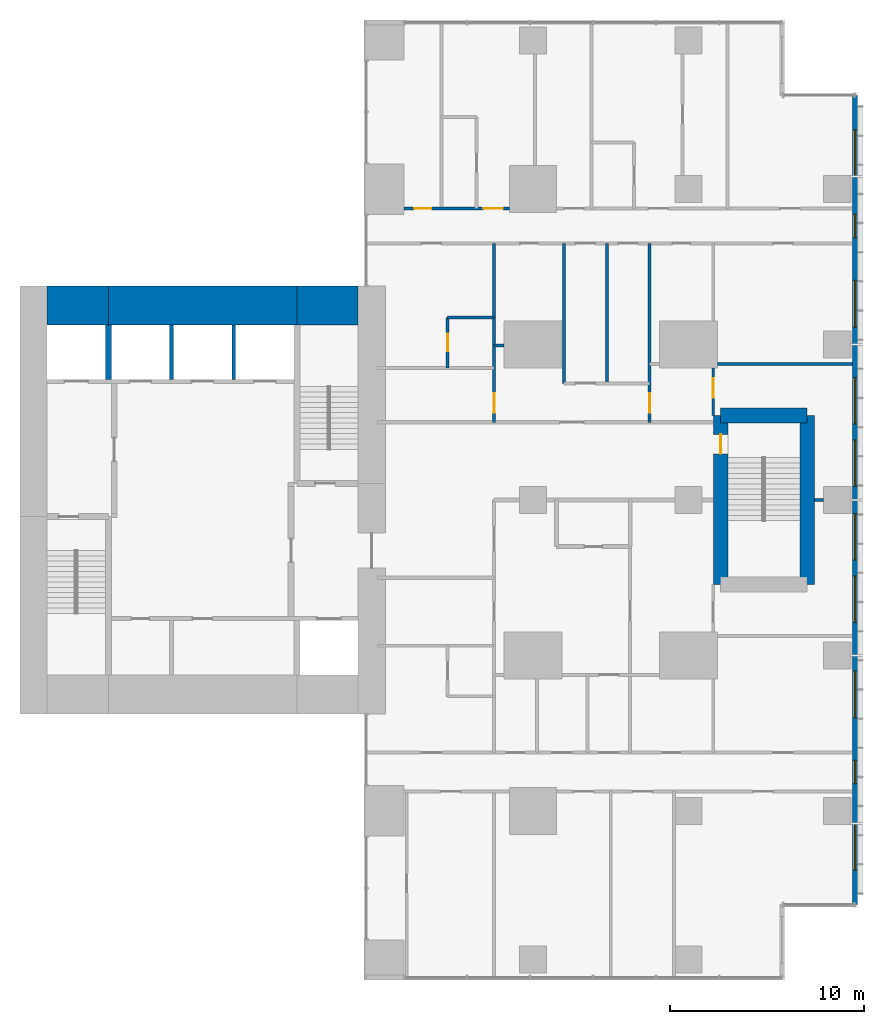
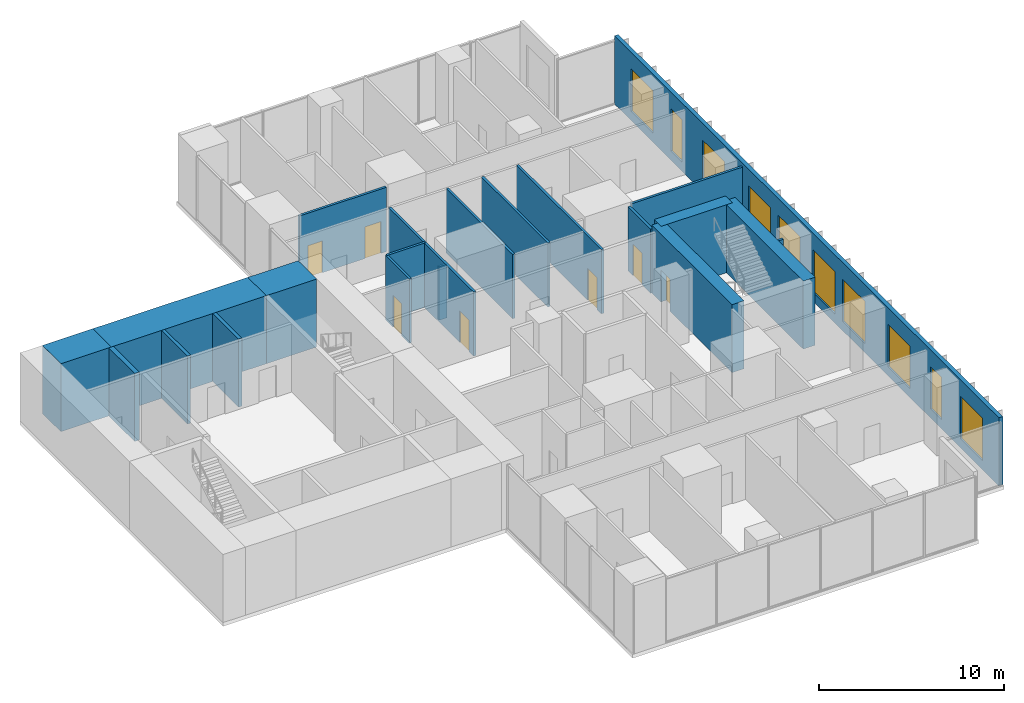
# One storey, part 9 of 12: 21 walls, 10 windows, 7 doors, 17 openings.
"""IFC4 building model written with IfcOpenShell, lengths in metres."""

from ifc_helpers import new_model, si_unit, direction, frame, frame_2d, origin, place, context, subcontext, project, spatial, rectangle, extrude, material, layer, layer_set, type_object, element, fill, save


model = new_model("IFC4")

# Units and contexts
model_context = context("Model", 3, precision=1e-05, world=origin(), true_north=direction((0.0, 1.0)))
body_context = subcontext(model_context, "Body", "Model", "MODEL_VIEW")
ifc_project = project(units=[si_unit("LENGTHUNIT", "METRE"), si_unit("AREAUNIT", "SQUARE_METRE"), si_unit("VOLUMEUNIT", "CUBIC_METRE"), si_unit("PLANEANGLEUNIT", "RADIAN"), si_unit("MASSUNIT", "GRAM", prefix="KILO")], contexts=[model_context])

# Site, building, storey
site_placement = place(None, origin())
site = spatial("IfcSite", under=ifc_project, at=site_placement, CompositionType="ELEMENT")
building_placement = place(site_placement, origin())
building = spatial("IfcBuilding", under=site, at=building_placement, Name="Cleftline Residences", CompositionType="ELEMENT")
storey_placement = place(building_placement, frame((0.0, 0.0, 282.60009765625)))
storey = spatial("IfcBuildingStorey", under=building, at=storey_placement, Name="L74", CompositionType="ELEMENT", Elevation=282.60009765625)

# Walls
ifc_material_1 = material(Name="Concrete B70", Category="concrete")
ifc_layer_1 = layer(ifc_material_1, 2.0)
ifc_layer_set_1 = layer_set([ifc_layer_1], Name="CORE WALL 2000")
wall_type_1 = type_object("IfcWallType", Name="CORE WALL 2000", PredefinedType="SHEAR", material=ifc_layer_set_1)
wall_1_placement = place(storey_placement, frame((25.0, 34.0, 0.0), z_axis=(0.0, 0.0, 1.0), x_axis=(1.0, 0.0, 0.0)))
element("IfcWall", 1, at=wall_1_placement, inside=storey, type_object=wall_type_1, Name="Core wall N1", PredefinedType="SHEAR", context=body_context, shape_type="SweptSolid", body=[
    extrude(rectangle(XDim=3.14990234375, YDim=2.0, at=frame_2d((1.574951171875, 0.0))), origin(), (0.0, 0.0, 1.0), 4.5),
])
wall_2_placement = place(storey_placement, frame((28.14990234375, 34.0, 0.0), z_axis=(0.0, 0.0, 1.0), x_axis=(1.0, 0.0, 0.0)))
element("IfcWall", 2, at=wall_2_placement, inside=storey, type_object=wall_type_1, Name="Core wall N2", PredefinedType="SHEAR", context=body_context, shape_type="SweptSolid", body=[
    extrude(rectangle(XDim=9.7001953125, YDim=2.0, at=frame_2d((4.85009765625, 0.0))), origin(), (0.0, 0.0, 1.0), 4.5),
])
wall_3_placement = place(storey_placement, frame((37.85009765625, 34.0, 0.0), z_axis=(0.0, 0.0, 1.0), x_axis=(1.0, 0.0, 0.0)))
element("IfcWall", 3, at=wall_3_placement, inside=storey, type_object=wall_type_1, Name="Core wall N3", PredefinedType="SHEAR", context=body_context, shape_type="SweptSolid", body=[
    extrude(rectangle(XDim=3.14990234375, YDim=2.0, at=frame_2d((1.574951171875, 0.0))), origin(), (0.0, 0.0, 1.0), 4.5),
])
ifc_material_2 = material(Name="Concrete B70", Category="concrete")
ifc_layer_2 = layer(ifc_material_2, 0.300048828125)
ifc_layer_set_2 = layer_set([ifc_layer_2], Name="CORE WALL 300")
wall_type_2 = type_object("IfcWallType", Name="CORE WALL 300", PredefinedType="SHEAR", material=ifc_layer_set_2)
wall_4_placement = place(storey_placement, frame((28.14990234375, 30.199951171875, 0.0), z_axis=(0.0, 0.0, 1.0), x_axis=(0.0, 1.0, 0.0)))
element("IfcWall", 4, at=wall_4_placement, inside=storey, type_object=wall_type_2, Name="Lift shaft wall", PredefinedType="SHEAR", context=body_context, shape_type="SweptSolid", body=[
    extrude(rectangle(XDim=2.800048828125, YDim=0.300048828125, at=frame_2d((1.39990234375, 0.0))), origin(), (0.0, 0.0, 1.0), 4.5),
])

# Wall, openings, windows
ifc_material_3 = material(Name="Rendered reinforced concrete blockwork", Category="masonry")
ifc_layer_3 = layer(ifc_material_3, 0.25)
ifc_layer_set_3 = layer_set([ifc_layer_3], Name="EXTERNAL WALL 250")
wall_type_3 = type_object("IfcWallType", Name="EXTERNAL WALL 250", PredefinedType="SOLIDWALL", material=ifc_layer_set_3)
wall_5_placement = place(storey_placement, frame((66.574951171875, 3.175048828125, 0.0), z_axis=(0.0, 0.0, 1.0), x_axis=(0.0, 1.0, 0.0)))
wall_5 = element("IfcWall", 5, at=wall_5_placement, inside=storey, type_object=wall_type_3, Name="External wall", PredefinedType="SOLIDWALL", context=body_context, shape_type="SweptSolid", body=[
    extrude(rectangle(XDim=41.64990234375, YDim=0.25, at=frame_2d((20.824951171875, 0.0))), origin(), (0.0, 0.0, 1.0), 4.5),
])
opening_1_placement = place(wall_5_placement, frame((1.77490234375, 0.0, 0.60009765625)))
opening_1 = element("IfcOpeningElement", 6, at=opening_1_placement, cuts=wall_5, Name="Opening W15", PredefinedType="OPENING", context=body_context, shape_type="SweptSolid", body=[
    extrude(rectangle(XDim=2.39990234375, YDim=2.800048828125, at=frame_2d((1.199951171875, 1.39990234375))), frame((0.0, 0.135009765625, 0.0), z_axis=(0.0, -1.0, 0.0), x_axis=(1.0, 0.0, 0.0)), (0.0, 0.0, 1.0), 0.27001953125),
])
opening_2_placement = place(wall_5_placement, frame((6.22509765625, 0.0, 0.60009765625)))
opening_2 = element("IfcOpeningElement", 7, at=opening_2_placement, cuts=wall_5, Name="Opening W16", PredefinedType="OPENING", context=body_context, shape_type="SweptSolid", body=[
    extrude(rectangle(XDim=1.199951171875, YDim=2.800048828125, at=frame_2d((0.60009765625, 1.39990234375))), frame((0.0, 0.135009765625, 0.0), z_axis=(0.0, -1.0, 0.0), x_axis=(1.0, 0.0, 0.0)), (0.0, 0.0, 1.0), 0.27001953125),
])
opening_3_placement = place(wall_5_placement, frame((9.625, 0.0, 0.60009765625)))
opening_3 = element("IfcOpeningElement", 8, at=opening_3_placement, cuts=wall_5, Name="Opening W15", PredefinedType="OPENING", context=body_context, shape_type="SweptSolid", body=[
    extrude(rectangle(XDim=2.39990234375, YDim=2.800048828125, at=frame_2d((1.199951171875, 1.39990234375))), frame((0.0, 0.135009765625, 0.0), z_axis=(0.0, -1.0, 0.0), x_axis=(1.0, 0.0, 0.0)), (0.0, 0.0, 1.0), 0.27001953125),
])
opening_4_placement = place(wall_5_placement, frame((14.52490234375, 0.0, 0.60009765625)))
opening_4 = element("IfcOpeningElement", 9, at=opening_4_placement, cuts=wall_5, Name="Opening W15", PredefinedType="OPENING", context=body_context, shape_type="SweptSolid", body=[
    extrude(rectangle(XDim=2.39990234375, YDim=2.800048828125, at=frame_2d((1.199951171875, 1.39990234375))), frame((0.0, 0.135009765625, 0.0), z_axis=(0.0, -1.0, 0.0), x_axis=(1.0, 0.0, 0.0)), (0.0, 0.0, 1.0), 0.27001953125),
])
opening_5_placement = place(wall_5_placement, frame((17.72509765625, 0.0, 0.60009765625)))
opening_5 = element("IfcOpeningElement", 10, at=opening_5_placement, cuts=wall_5, Name="Opening W15", PredefinedType="OPENING", context=body_context, shape_type="SweptSolid", body=[
    extrude(rectangle(XDim=2.39990234375, YDim=2.800048828125, at=frame_2d((1.199951171875, 1.39990234375))), frame((0.0, 0.135009765625, 0.0), z_axis=(0.0, -1.0, 0.0), x_axis=(1.0, 0.0, 0.0)), (0.0, 0.0, 1.0), 0.27001953125),
])
opening_6_placement = place(wall_5_placement, frame((21.52490234375, 0.0, 0.60009765625)))
opening_6 = element("IfcOpeningElement", 11, at=opening_6_placement, cuts=wall_5, Name="Opening W15", PredefinedType="OPENING", context=body_context, shape_type="SweptSolid", body=[
    extrude(rectangle(XDim=2.39990234375, YDim=2.800048828125, at=frame_2d((1.199951171875, 1.39990234375))), frame((0.0, 0.135009765625, 0.0), z_axis=(0.0, -1.0, 0.0), x_axis=(1.0, 0.0, 0.0)), (0.0, 0.0, 1.0), 0.27001953125),
])
opening_7_placement = place(wall_5_placement, frame((24.72509765625, 0.0, 0.60009765625)))
opening_7 = element("IfcOpeningElement", 12, at=opening_7_placement, cuts=wall_5, Name="Opening W15", PredefinedType="OPENING", context=body_context, shape_type="SweptSolid", body=[
    extrude(rectangle(XDim=2.39990234375, YDim=2.800048828125, at=frame_2d((1.199951171875, 1.39990234375))), frame((0.0, 0.135009765625, 0.0), z_axis=(0.0, -1.0, 0.0), x_axis=(1.0, 0.0, 0.0)), (0.0, 0.0, 1.0), 0.27001953125),
])
opening_8_placement = place(wall_5_placement, frame((29.72509765625, 0.0, 0.60009765625)))
opening_8 = element("IfcOpeningElement", 13, at=opening_8_placement, cuts=wall_5, Name="Opening W15", PredefinedType="OPENING", context=body_context, shape_type="SweptSolid", body=[
    extrude(rectangle(XDim=2.39990234375, YDim=2.800048828125, at=frame_2d((1.199951171875, 1.39990234375))), frame((0.0, 0.135009765625, 0.0), z_axis=(0.0, -1.0, 0.0), x_axis=(1.0, 0.0, 0.0)), (0.0, 0.0, 1.0), 0.27001953125),
])
opening_9_placement = place(wall_5_placement, frame((34.324951171875, 0.0, 0.60009765625)))
opening_9 = element("IfcOpeningElement", 14, at=opening_9_placement, cuts=wall_5, Name="Opening W16", PredefinedType="OPENING", context=body_context, shape_type="SweptSolid", body=[
    extrude(rectangle(XDim=1.199951171875, YDim=2.800048828125, at=frame_2d((0.60009765625, 1.39990234375))), frame((0.0, 0.135009765625, 0.0), z_axis=(0.0, -1.0, 0.0), x_axis=(1.0, 0.0, 0.0)), (0.0, 0.0, 1.0), 0.27001953125),
])
opening_10_placement = place(wall_5_placement, frame((37.47509765625, 0.0, 0.60009765625)))
opening_10 = element("IfcOpeningElement", 15, at=opening_10_placement, cuts=wall_5, Name="Opening W15", PredefinedType="OPENING", context=body_context, shape_type="SweptSolid", body=[
    extrude(rectangle(XDim=2.39990234375, YDim=2.800048828125, at=frame_2d((1.199951171875, 1.39990234375))), frame((0.0, 0.135009765625, 0.0), z_axis=(0.0, -1.0, 0.0), x_axis=(1.0, 0.0, 0.0)), (0.0, 0.0, 1.0), 0.27001953125),
])
ifc_material_4 = material(Name="Aluminium frame, clear double glazing", Category="aluminium")
window_type_1 = type_object("IfcWindowType", Name="WINDOW 1200X2800", PartitioningType="DOUBLE_PANEL_VERTICAL", PredefinedType="WINDOW", material=ifc_material_4)
window_1_placement = place(opening_2_placement, origin())
window_1 = element("IfcWindow", 16, at=window_1_placement, inside=storey, type_object=window_type_1, Name="Window", OverallHeight=2.800048828125, OverallWidth=1.199951171875, PartitioningType="SINGLE_PANEL", PredefinedType="WINDOW", context=body_context, shape_type="SweptSolid", body=[
    extrude(rectangle(XDim=1.199951171875, YDim=2.800048828125, at=frame_2d((0.60009765625, 1.39990234375))), frame((0.0, 0.030029296875, 0.0), z_axis=(0.0, -1.0, 0.0), x_axis=(1.0, 0.0, 0.0)), (0.0, 0.0, 1.0), 0.06005859375),
])
fill(opening_2, window_1)
window_2_placement = place(opening_9_placement, origin())
window_2 = element("IfcWindow", 17, at=window_2_placement, inside=storey, type_object=window_type_1, Name="Window", OverallHeight=2.800048828125, OverallWidth=1.199951171875, PartitioningType="SINGLE_PANEL", PredefinedType="WINDOW", context=body_context, shape_type="SweptSolid", body=[
    extrude(rectangle(XDim=1.199951171875, YDim=2.800048828125, at=frame_2d((0.60009765625, 1.39990234375))), frame((0.0, 0.030029296875, 0.0), z_axis=(0.0, -1.0, 0.0), x_axis=(1.0, 0.0, 0.0)), (0.0, 0.0, 1.0), 0.06005859375),
])
fill(opening_9, window_2)
ifc_material_5 = material(Name="Aluminium frame, clear double glazing", Category="aluminium")
window_type_2 = type_object("IfcWindowType", Name="WINDOW 2400X2800", PartitioningType="DOUBLE_PANEL_VERTICAL", PredefinedType="WINDOW", material=ifc_material_5)
window_3_placement = place(opening_1_placement, origin())
window_3 = element("IfcWindow", 18, at=window_3_placement, inside=storey, type_object=window_type_2, Name="Window", OverallHeight=2.800048828125, OverallWidth=2.39990234375, PartitioningType="SINGLE_PANEL", PredefinedType="WINDOW", context=body_context, shape_type="SweptSolid", body=[
    extrude(rectangle(XDim=2.39990234375, YDim=2.800048828125, at=frame_2d((1.199951171875, 1.39990234375))), frame((0.0, 0.030029296875, 0.0), z_axis=(0.0, -1.0, 0.0), x_axis=(1.0, 0.0, 0.0)), (0.0, 0.0, 1.0), 0.06005859375),
])
fill(opening_1, window_3)
window_4_placement = place(opening_3_placement, origin())
window_4 = element("IfcWindow", 19, at=window_4_placement, inside=storey, type_object=window_type_2, Name="Window", OverallHeight=2.800048828125, OverallWidth=2.39990234375, PartitioningType="SINGLE_PANEL", PredefinedType="WINDOW", context=body_context, shape_type="SweptSolid", body=[
    extrude(rectangle(XDim=2.39990234375, YDim=2.800048828125, at=frame_2d((1.199951171875, 1.39990234375))), frame((0.0, 0.030029296875, 0.0), z_axis=(0.0, -1.0, 0.0), x_axis=(1.0, 0.0, 0.0)), (0.0, 0.0, 1.0), 0.06005859375),
])
fill(opening_3, window_4)
window_5_placement = place(opening_4_placement, origin())
window_5 = element("IfcWindow", 20, at=window_5_placement, inside=storey, type_object=window_type_2, Name="Window", OverallHeight=2.800048828125, OverallWidth=2.39990234375, PartitioningType="SINGLE_PANEL", PredefinedType="WINDOW", context=body_context, shape_type="SweptSolid", body=[
    extrude(rectangle(XDim=2.39990234375, YDim=2.800048828125, at=frame_2d((1.199951171875, 1.39990234375))), frame((0.0, 0.030029296875, 0.0), z_axis=(0.0, -1.0, 0.0), x_axis=(1.0, 0.0, 0.0)), (0.0, 0.0, 1.0), 0.06005859375),
])
fill(opening_4, window_5)
window_6_placement = place(opening_5_placement, origin())
window_6 = element("IfcWindow", 21, at=window_6_placement, inside=storey, type_object=window_type_2, Name="Window", OverallHeight=2.800048828125, OverallWidth=2.39990234375, PartitioningType="SINGLE_PANEL", PredefinedType="WINDOW", context=body_context, shape_type="SweptSolid", body=[
    extrude(rectangle(XDim=2.39990234375, YDim=2.800048828125, at=frame_2d((1.199951171875, 1.39990234375))), frame((0.0, 0.030029296875, 0.0), z_axis=(0.0, -1.0, 0.0), x_axis=(1.0, 0.0, 0.0)), (0.0, 0.0, 1.0), 0.06005859375),
])
fill(opening_5, window_6)
window_7_placement = place(opening_6_placement, origin())
window_7 = element("IfcWindow", 22, at=window_7_placement, inside=storey, type_object=window_type_2, Name="Window", OverallHeight=2.800048828125, OverallWidth=2.39990234375, PartitioningType="SINGLE_PANEL", PredefinedType="WINDOW", context=body_context, shape_type="SweptSolid", body=[
    extrude(rectangle(XDim=2.39990234375, YDim=2.800048828125, at=frame_2d((1.199951171875, 1.39990234375))), frame((0.0, 0.030029296875, 0.0), z_axis=(0.0, -1.0, 0.0), x_axis=(1.0, 0.0, 0.0)), (0.0, 0.0, 1.0), 0.06005859375),
])
fill(opening_6, window_7)
window_8_placement = place(opening_7_placement, origin())
window_8 = element("IfcWindow", 23, at=window_8_placement, inside=storey, type_object=window_type_2, Name="Window", OverallHeight=2.800048828125, OverallWidth=2.39990234375, PartitioningType="SINGLE_PANEL", PredefinedType="WINDOW", context=body_context, shape_type="SweptSolid", body=[
    extrude(rectangle(XDim=2.39990234375, YDim=2.800048828125, at=frame_2d((1.199951171875, 1.39990234375))), frame((0.0, 0.030029296875, 0.0), z_axis=(0.0, -1.0, 0.0), x_axis=(1.0, 0.0, 0.0)), (0.0, 0.0, 1.0), 0.06005859375),
])
fill(opening_7, window_8)
window_9_placement = place(opening_8_placement, origin())
window_9 = element("IfcWindow", 24, at=window_9_placement, inside=storey, type_object=window_type_2, Name="Window", OverallHeight=2.800048828125, OverallWidth=2.39990234375, PartitioningType="SINGLE_PANEL", PredefinedType="WINDOW", context=body_context, shape_type="SweptSolid", body=[
    extrude(rectangle(XDim=2.39990234375, YDim=2.800048828125, at=frame_2d((1.199951171875, 1.39990234375))), frame((0.0, 0.030029296875, 0.0), z_axis=(0.0, -1.0, 0.0), x_axis=(1.0, 0.0, 0.0)), (0.0, 0.0, 1.0), 0.06005859375),
])
fill(opening_8, window_9)
window_10_placement = place(opening_10_placement, origin())
window_10 = element("IfcWindow", 25, at=window_10_placement, inside=storey, type_object=window_type_2, Name="Window", OverallHeight=2.800048828125, OverallWidth=2.39990234375, PartitioningType="SINGLE_PANEL", PredefinedType="WINDOW", context=body_context, shape_type="SweptSolid", body=[
    extrude(rectangle(XDim=2.39990234375, YDim=2.800048828125, at=frame_2d((1.199951171875, 1.39990234375))), frame((0.0, 0.030029296875, 0.0), z_axis=(0.0, -1.0, 0.0), x_axis=(1.0, 0.0, 0.0)), (0.0, 0.0, 1.0), 0.06005859375),
])
fill(opening_10, window_10)

# Walls
ifc_material_6 = material(Name="Gypsum board on steel studs", Category="steel")
ifc_layer_4 = layer(ifc_material_6, 0.14990234375)
ifc_layer_set_4 = layer_set([ifc_layer_4], Name="PARTITION 150")
wall_type_4 = type_object("IfcWallType", Name="PARTITION 150", PredefinedType="PARTITIONING", material=ifc_layer_set_4)
wall_6_placement = place(storey_placement, frame((64.47509765625, 24.0, 0.0), z_axis=(0.0, 0.0, 1.0), x_axis=(1.0, 0.0, 0.0)))
element("IfcWall", 26, at=wall_6_placement, inside=storey, type_object=wall_type_4, Name="Partition", PredefinedType="PARTITIONING", context=body_context, shape_type="SweptSolid", body=[
    extrude(rectangle(XDim=0.474853515625, YDim=0.14990234375, at=frame_2d((0.2373046875, 0.0))), origin(), (0.0, 0.0, 1.0), 4.25),
])
wall_7_placement = place(storey_placement, frame((59.5, 31.0, 0.0), z_axis=(0.0, 0.0, 1.0), x_axis=(1.0, 0.0, 0.0)))
element("IfcWall", 27, at=wall_7_placement, inside=storey, type_object=wall_type_4, Name="Partition", PredefinedType="PARTITIONING", context=body_context, shape_type="SweptSolid", body=[
    extrude(rectangle(XDim=6.949951171875, YDim=0.14990234375, at=frame_2d((3.47509765625, 0.0))), origin(), (0.0, 0.0, 1.0), 4.25),
])
wall_8_placement = place(storey_placement, frame((48.0, 31.949951171875, 0.0), z_axis=(0.0, 0.0, 1.0), x_axis=(1.0, 0.0, 0.0)))
element("IfcWall", 28, at=wall_8_placement, inside=storey, type_object=wall_type_4, Name="Partition", PredefinedType="PARTITIONING", context=body_context, shape_type="SweptSolid", body=[
    extrude(rectangle(XDim=0.5, YDim=0.14990234375, at=frame_2d((0.25, 0.0))), origin(), (0.0, 0.0, 1.0), 3.533935546875),
])
wall_9_placement = place(storey_placement, frame((45.60009765625, 33.39990234375, 0.0), z_axis=(0.0, 0.0, 1.0), x_axis=(1.0, 0.0, 0.0)))
element("IfcWall", 29, at=wall_9_placement, inside=storey, type_object=wall_type_4, Name="Partition", PredefinedType="PARTITIONING", context=body_context, shape_type="SweptSolid", body=[
    extrude(rectangle(XDim=2.39990234375, YDim=0.14990234375, at=frame_2d((1.199951171875, 0.0))), origin(), (0.0, 0.0, 1.0), 4.25),
])

# Wall, openings, doors
wall_10_placement = place(storey_placement, frame((43.35009765625, 39.0, 0.0), z_axis=(0.0, 0.0, 1.0), x_axis=(1.0, 0.0, 0.0)))
wall_10 = element("IfcWall", 30, at=wall_10_placement, inside=storey, type_object=wall_type_4, Name="Partition", PredefinedType="PARTITIONING", context=body_context, shape_type="SweptSolid", body=[
    extrude(rectangle(XDim=5.449951171875, YDim=0.14990234375, at=frame_2d((2.72509765625, 0.0))), origin(), (0.0, 0.0, 1.0), 4.25),
])
opening_11_placement = place(wall_10_placement, frame((4.10009765625, 0.0, 0.0)))
opening_11 = element("IfcOpeningElement", 31, at=opening_11_placement, cuts=wall_10, Name="Opening D2", PredefinedType="OPENING", context=body_context, shape_type="SweptSolid", body=[
    extrude(rectangle(XDim=1.0, YDim=2.10009765625, at=frame_2d((0.5, 1.050048828125))), frame((0.0, 0.0849609375, 0.0), z_axis=(0.0, -1.0, 0.0), x_axis=(1.0, 0.0, 0.0)), (0.0, 0.0, 1.0), 0.169921875),
])
opening_12_placement = place(wall_10_placement, frame((0.52490234375, 0.0, 0.0)))
opening_12 = element("IfcOpeningElement", 32, at=opening_12_placement, cuts=wall_10, Name="Opening D1", PredefinedType="OPENING", context=body_context, shape_type="SweptSolid", body=[
    extrude(rectangle(XDim=0.89990234375, YDim=2.10009765625, at=frame_2d((0.449951171875, 1.050048828125))), frame((0.0, 0.0849609375, 0.0), z_axis=(0.0, -1.0, 0.0), x_axis=(1.0, 0.0, 0.0)), (0.0, 0.0, 1.0), 0.169921875),
])
ifc_material_7 = material(Name="Timber veneer on solid core", Category="wood")
door_type_1 = type_object("IfcDoorType", Name="DOOR 1000X2100", OperationType="SINGLE_SWING_LEFT", PredefinedType="DOOR", material=ifc_material_7)
door_1_placement = place(opening_11_placement, origin())
door_1 = element("IfcDoor", 33, at=door_1_placement, inside=storey, type_object=door_type_1, Name="Door to bedroom 3", OperationType="SINGLE_SWING_LEFT", OverallHeight=2.10009765625, OverallWidth=1.0, PredefinedType="DOOR", context=body_context, shape_type="SweptSolid", body=[
    extrude(rectangle(XDim=1.0, YDim=2.10009765625, at=frame_2d((0.5, 1.050048828125))), frame((0.0, 0.02490234375, 0.0), z_axis=(0.0, -1.0, 0.0), x_axis=(1.0, 0.0, 0.0)), (0.0, 0.0, 1.0), 0.050048828125),
])
fill(opening_11, door_1)
ifc_material_8 = material(Name="Timber veneer on solid core", Category="wood")
door_type_2 = type_object("IfcDoorType", Name="DOOR 900X2100", OperationType="SINGLE_SWING_LEFT", PredefinedType="DOOR", material=ifc_material_8)
door_2_placement = place(opening_12_placement, origin())
door_2 = element("IfcDoor", 34, at=door_2_placement, inside=storey, type_object=door_type_2, Name="Door to dressing room", OperationType="SINGLE_SWING_RIGHT", OverallHeight=2.10009765625, OverallWidth=0.89990234375, PredefinedType="DOOR", context=body_context, shape_type="SweptSolid", body=[
    extrude(rectangle(XDim=0.89990234375, YDim=2.10009765625, at=frame_2d((0.449951171875, 1.050048828125))), frame((0.0, 0.02490234375, 0.0), z_axis=(0.0, -1.0, 0.0), x_axis=(1.0, 0.0, 0.0)), (0.0, 0.0, 1.0), 0.050048828125),
])
fill(opening_12, door_2)

# Wall, opening, door
wall_11_placement = place(storey_placement, frame((45.60009765625, 30.800048828125, 0.0), z_axis=(0.0, 0.0, 1.0), x_axis=(0.0, 1.0, 0.0)))
wall_11 = element("IfcWall", 35, at=wall_11_placement, inside=storey, type_object=wall_type_4, Name="Partition", PredefinedType="PARTITIONING", context=body_context, shape_type="SweptSolid", body=[
    extrude(rectangle(XDim=2.599853515625, YDim=0.14990234375, at=frame_2d((1.2998046875, 0.0))), origin(), (0.0, 0.0, 1.0), 4.25),
])
opening_13_placement = place(wall_11_placement, frame((0.85009765625, 0.0, 0.0)))
opening_13 = element("IfcOpeningElement", 36, at=opening_13_placement, cuts=wall_11, Name="Opening D1", PredefinedType="OPENING", context=body_context, shape_type="SweptSolid", body=[
    extrude(rectangle(XDim=0.89990234375, YDim=2.10009765625, at=frame_2d((0.449951171875, 1.050048828125))), frame((0.0, 0.0849609375, 0.0), z_axis=(0.0, -1.0, 0.0), x_axis=(1.0, 0.0, 0.0)), (0.0, 0.0, 1.0), 0.169921875),
])
door_3_placement = place(opening_13_placement, origin())
door_3 = element("IfcDoor", 37, at=door_3_placement, inside=storey, type_object=door_type_2, Name="Door to en-suite bathroom 4", OperationType="SINGLE_SWING_LEFT", OverallHeight=2.10009765625, OverallWidth=0.89990234375, PredefinedType="DOOR", context=body_context, shape_type="SweptSolid", body=[
    extrude(rectangle(XDim=0.89990234375, YDim=2.10009765625, at=frame_2d((0.449951171875, 1.050048828125))), frame((0.0, 0.02490234375, 0.0), z_axis=(0.0, -1.0, 0.0), x_axis=(1.0, 0.0, 0.0)), (0.0, 0.0, 1.0), 0.050048828125),
])
fill(opening_13, door_3)

wall_12_placement = place(storey_placement, frame((48.0, 28.0, 0.0), z_axis=(0.0, 0.0, 1.0), x_axis=(0.0, 1.0, 0.0)))
wall_12 = element("IfcWall", 38, at=wall_12_placement, inside=storey, type_object=wall_type_4, Name="Partition", PredefinedType="PARTITIONING", context=body_context, shape_type="SweptSolid", body=[
    extrude(rectangle(XDim=9.199951171875, YDim=0.14990234375, at=frame_2d((4.60009765625, 0.0))), origin(), (0.0, 0.0, 1.0), 4.25),
])
opening_14_placement = place(wall_12_placement, frame((0.5, 0.0, 0.0)))
opening_14 = element("IfcOpeningElement", 39, at=opening_14_placement, cuts=wall_12, Name="Opening D2", PredefinedType="OPENING", context=body_context, shape_type="SweptSolid", body=[
    extrude(rectangle(XDim=1.0, YDim=2.10009765625, at=frame_2d((0.5, 1.050048828125))), frame((0.0, 0.0849609375, 0.0), z_axis=(0.0, -1.0, 0.0), x_axis=(1.0, 0.0, 0.0)), (0.0, 0.0, 1.0), 0.169921875),
])
door_4_placement = place(opening_14_placement, origin())
door_4 = element("IfcDoor", 40, at=door_4_placement, inside=storey, type_object=door_type_1, Name="Door to morning kitchen", OperationType="SINGLE_SWING_RIGHT", OverallHeight=2.10009765625, OverallWidth=1.0, PredefinedType="DOOR", context=body_context, shape_type="SweptSolid", body=[
    extrude(rectangle(XDim=1.0, YDim=2.10009765625, at=frame_2d((0.5, 1.050048828125))), frame((0.0, 0.02490234375, 0.0), z_axis=(0.0, -1.0, 0.0), x_axis=(1.0, 0.0, 0.0)), (0.0, 0.0, 1.0), 0.050048828125),
])
fill(opening_14, door_4)

# Walls
for number, where, z_axis, x_axis, name in (
    (41, (51.60009765625, 30.0, 0.0), (0.0, 0.0, 1.0), (0.0, 1.0, 0.0), "Partition"),
    (42, (53.800048828125, 30.0, 0.0), (0.0, 0.0, 1.0), (0.0, 1.0, 0.0), "Partition"),
):
    element("IfcWall", number, at=place(storey_placement, frame(where, z_axis=z_axis, x_axis=x_axis)), inside=storey, type_object=wall_type_4, Name=name, PredefinedType="PARTITIONING", context=body_context, shape_type="SweptSolid", body=[
        extrude(rectangle(XDim=7.199951171875, YDim=0.14990234375, at=frame_2d((3.60009765625, 0.0))), origin(), (0.0, 0.0, 1.0), 4.25),
    ])

# Wall, opening, door
wall_13_placement = place(storey_placement, frame((56.0, 28.0, 0.0), z_axis=(0.0, 0.0, 1.0), x_axis=(0.0, 1.0, 0.0)))
wall_13 = element("IfcWall", 43, at=wall_13_placement, inside=storey, type_object=wall_type_4, Name="Partition", PredefinedType="PARTITIONING", context=body_context, shape_type="SweptSolid", body=[
    extrude(rectangle(XDim=9.199951171875, YDim=0.14990234375, at=frame_2d((4.60009765625, 0.0))), origin(), (0.0, 0.0, 1.0), 4.25),
])
opening_15_placement = place(wall_13_placement, frame((0.5, 0.0, 0.0)))
opening_15 = element("IfcOpeningElement", 44, at=opening_15_placement, cuts=wall_13, Name="Opening D2F30", PredefinedType="OPENING", context=body_context, shape_type="SweptSolid", body=[
    extrude(rectangle(XDim=1.0, YDim=2.10009765625, at=frame_2d((0.5, 1.050048828125))), frame((0.0, 0.0849609375, 0.0), z_axis=(0.0, -1.0, 0.0), x_axis=(1.0, 0.0, 0.0)), (0.0, 0.0, 1.0), 0.169921875),
])
ifc_material_9 = material(Name="Timber veneer on solid core", Category="wood")
door_type_3 = type_object("IfcDoorType", Name="DOOR 1000X2100 EI 30", OperationType="SINGLE_SWING_LEFT", PredefinedType="DOOR", material=ifc_material_9)
door_5_placement = place(opening_15_placement, origin())
door_5 = element("IfcDoor", 45, at=door_5_placement, inside=storey, type_object=door_type_3, Name="Door to residence lobby (service)", OperationType="SINGLE_SWING_RIGHT", OverallHeight=2.10009765625, OverallWidth=1.0, PredefinedType="DOOR", context=body_context, shape_type="SweptSolid", body=[
    extrude(rectangle(XDim=1.0, YDim=2.10009765625, at=frame_2d((0.5, 1.050048828125))), frame((0.0, 0.02490234375, 0.0), z_axis=(0.0, -1.0, 0.0), x_axis=(1.0, 0.0, 0.0)), (0.0, 0.0, 1.0), 0.050048828125),
])
fill(opening_15, door_5)

wall_14_placement = place(storey_placement, frame((59.27490234375, 28.35009765625, 0.0), z_axis=(0.0, 0.0, 1.0), x_axis=(0.0, 1.0, 0.0)))
wall_14 = element("IfcWall", 46, at=wall_14_placement, inside=storey, type_object=wall_type_4, Name="Partition", PredefinedType="PARTITIONING", context=body_context, shape_type="SweptSolid", body=[
    extrude(rectangle(XDim=2.449951171875, YDim=0.14990234375, at=frame_2d((1.22509765625, 0.0))), origin(), (0.0, 0.0, 1.0), 4.25),
])
opening_16_placement = place(wall_14_placement, frame((0.91259765625, 0.0, 0.0)))
opening_16 = element("IfcOpeningElement", 47, at=opening_16_placement, cuts=wall_14, Name="Opening D2", PredefinedType="OPENING", context=body_context, shape_type="SweptSolid", body=[
    extrude(rectangle(XDim=1.0, YDim=2.10009765625, at=frame_2d((0.5, 1.050048828125))), frame((0.0, 0.0849609375, 0.0), z_axis=(0.0, -1.0, 0.0), x_axis=(1.0, 0.0, 0.0)), (0.0, 0.0, 1.0), 0.169921875),
])
door_6_placement = place(opening_16_placement, origin())
door_6 = element("IfcDoor", 48, at=door_6_placement, inside=storey, type_object=door_type_1, Name="Door to altar room", OperationType="SINGLE_SWING_LEFT", OverallHeight=2.10009765625, OverallWidth=1.0, PredefinedType="DOOR", context=body_context, shape_type="SweptSolid", body=[
    extrude(rectangle(XDim=1.0, YDim=2.10009765625, at=frame_2d((0.5, 1.050048828125))), frame((0.0, 0.02490234375, 0.0), z_axis=(0.0, -1.0, 0.0), x_axis=(1.0, 0.0, 0.0)), (0.0, 0.0, 1.0), 0.050048828125),
])
fill(opening_16, door_6)

# Walls
ifc_material_10 = material(Name="Concrete blockwork, fire rated", Category="masonry")
ifc_layer_5 = layer(ifc_material_10, 0.199951171875)
ifc_layer_set_5 = layer_set([ifc_layer_5], Name="SHAFT WALL 200")
wall_type_5 = type_object("IfcWallType", Name="SHAFT WALL 200", PredefinedType="PARTITIONING", material=ifc_layer_set_5)
for number, where, z_axis, x_axis, name in (
    (49, (31.39990234375, 30.199951171875, 0.0), (0.0, 0.0, 1.0), (0.0, 1.0, 0.0), "Lift shaft wall"),
    (50, (34.60009765625, 30.199951171875, 0.0), (0.0, 0.0, 1.0), (0.0, 1.0, 0.0), "Lift shaft wall"),
):
    element("IfcWall", number, at=place(storey_placement, frame(where, z_axis=z_axis, x_axis=x_axis)), inside=storey, type_object=wall_type_5, Name=name, PredefinedType="PARTITIONING", context=body_context, shape_type="SweptSolid", body=[
        extrude(rectangle(XDim=2.800048828125, YDim=0.199951171875, at=frame_2d((1.39990234375, 0.0))), origin(), (0.0, 0.0, 1.0), 4.5),
    ])
ifc_material_11 = material(Name="Concrete B70", Category="concrete")
ifc_layer_6 = layer(ifc_material_11, 0.75)
ifc_layer_set_6 = layer_set([ifc_layer_6], Name="SHEAR WALL 750")
wall_type_6 = type_object("IfcWallType", Name="SHEAR WALL 750", PredefinedType="SHEAR", material=ifc_layer_set_6)
wall_15_placement = place(storey_placement, frame((64.10009765625, 19.64990234375, 0.0), z_axis=(0.0, 0.0, 1.0), x_axis=(0.0, 1.0, 0.0)))
element("IfcWall", 51, at=wall_15_placement, inside=storey, type_object=wall_type_6, Name="Wing shear wall", PredefinedType="SHEAR", context=body_context, shape_type="SweptSolid", body=[
    extrude(rectangle(XDim=8.7001953125, YDim=0.75, at=frame_2d((4.35009765625, 0.0))), origin(), (0.0, 0.0, 1.0), 4.5),
])
wall_16_placement = place(storey_placement, frame((64.10009765625, 28.35009765625, 0.0), z_axis=(0.0, 0.0, 1.0), x_axis=(-1.0, 0.0, 0.0)))
element("IfcWall", 52, at=wall_16_placement, inside=storey, type_object=wall_type_6, Name="Wing shear wall", PredefinedType="SHEAR", context=body_context, shape_type="SweptSolid", body=[
    extrude(rectangle(XDim=4.4501953125, YDim=0.75, at=frame_2d((2.22509765625, 0.0))), origin(), (0.0, 0.0, 1.0), 4.5),
])

# Wall, opening, door
wall_17_placement = place(storey_placement, frame((59.64990234375, 28.35009765625, 0.0), z_axis=(0.0, 0.0, 1.0), x_axis=(0.0, -1.0, 0.0)))
wall_17 = element("IfcWall", 53, at=wall_17_placement, inside=storey, type_object=wall_type_6, Name="Wing shear wall", PredefinedType="SHEAR", context=body_context, shape_type="SweptSolid", body=[
    extrude(rectangle(XDim=8.7001953125, YDim=0.75, at=frame_2d((4.35009765625, 0.0))), origin(), (0.0, 0.0, 1.0), 4.5),
])
opening_17_placement = place(wall_17_placement, frame((0.97509765625, 0.0, 0.0)))
opening_17 = element("IfcOpeningElement", 54, at=opening_17_placement, cuts=wall_17, Name="Opening D5", PredefinedType="OPENING", context=body_context, shape_type="SweptSolid", body=[
    extrude(rectangle(XDim=1.0, YDim=2.10009765625, at=frame_2d((0.5, 1.050048828125))), frame((0.0, 0.385009765625, 0.0), z_axis=(0.0, -1.0, 0.0), x_axis=(1.0, 0.0, 0.0)), (0.0, 0.0, 1.0), 0.77001953125),
])
ifc_material_12 = material(Name="Steel", Category="steel")
door_type_4 = type_object("IfcDoorType", Name="STAIR DOOR 1000X2100", OperationType="SINGLE_SWING_LEFT", PredefinedType="DOOR", material=ifc_material_12)
door_7_placement = place(opening_17_placement, origin())
door_7 = element("IfcDoor", 55, at=door_7_placement, inside=storey, type_object=door_type_4, Name="Stair E door", OperationType="SINGLE_SWING_RIGHT", OverallHeight=2.10009765625, OverallWidth=1.0, PredefinedType="DOOR", context=body_context, shape_type="SweptSolid", body=[
    extrude(rectangle(XDim=1.0, YDim=2.10009765625, at=frame_2d((0.5, 1.050048828125))), frame((0.0, 0.02490234375, 0.0), z_axis=(0.0, -1.0, 0.0), x_axis=(1.0, 0.0, 0.0)), (0.0, 0.0, 1.0), 0.050048828125),
])
fill(opening_17, door_7)

save(model, "model.ifc")
